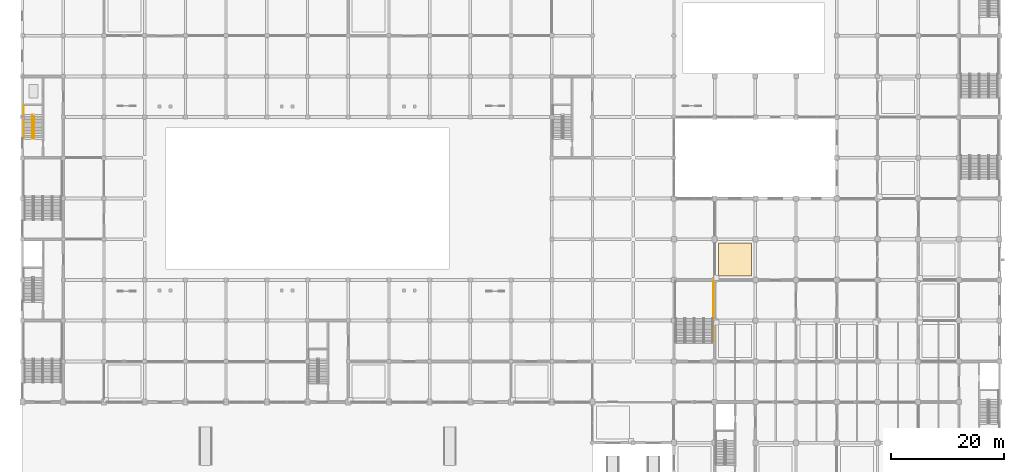
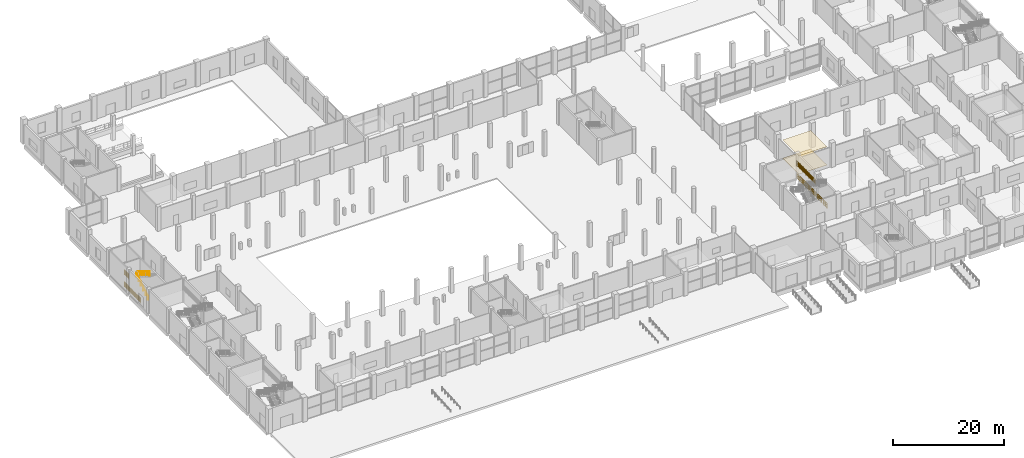
# One storey, part 62 of 70: 6 railings, 2 coverings.
"""IFC4 building model written with IfcOpenShell, lengths in metres."""

from ifc_helpers import new_model, si_unit, direction, frame, origin, origin_2d, place, context, subcontext, project, spatial, polyline, circle, outline, extrude, material, layer, layer_set, type_object, element, save


model = new_model("IFC4")

# Units and contexts
model_context = context("Model", 3, precision=1e-05, world=origin(), true_north=direction((0.0, 1.0)))
body_context = subcontext(model_context, "Body", "Model", "MODEL_VIEW")
ifc_project = project(units=[si_unit("LENGTHUNIT", "METRE"), si_unit("AREAUNIT", "SQUARE_METRE"), si_unit("VOLUMEUNIT", "CUBIC_METRE"), si_unit("PLANEANGLEUNIT", "RADIAN"), si_unit("MASSUNIT", "GRAM", prefix="KILO")], contexts=[model_context])

# Site, building, storey
site_placement = place(None, origin())
site = spatial("IfcSite", under=ifc_project, at=site_placement, CompositionType="ELEMENT")
building_placement = place(site_placement, origin())
building = spatial("IfcBuilding", under=site, at=building_placement, Name="Vesperath Aquatics Centre", CompositionType="ELEMENT")
storey_placement = place(building_placement, origin())
storey = spatial("IfcBuildingStorey", under=building, at=storey_placement, Name="L00", CompositionType="ELEMENT", Elevation=0.0)

# Coverings
ifc_material_1 = material(Name="Perforated moisture-resistant acoustic mineral-fibre ceiling", Category="gypsum")
ifc_layer_1 = layer(ifc_material_1, 0.044921875)
ifc_layer_set_1 = layer_set([ifc_layer_1], Name="Perforated moisture-resistant acoustic mineral-fibre ceiling")
covering_type_1 = type_object("IfcCoveringType", Name="CV-CLG01", PredefinedType="CEILING", material=ifc_layer_set_1)
covering_1_placement = place(storey_placement, frame((0.0, 0.0, 4.02490234375)))
element("IfcCovering", 1, at=covering_1_placement, inside=storey, type_object=covering_type_1, Name="Acoustic Suspended Ceiling CLG1 L00_COMMUNITY", PredefinedType="CEILING", context=body_context, shape_type="SweptSolid", body=[
    extrude(outline(polyline([(123.080078125, 36.679931640625), (128.919921875, 36.679931640625), (128.919921875, 42.52001953125), (123.080078125, 42.52001953125), (123.080078125, 36.679931640625)])), origin(), (0.0, 0.0, 1.0), 0.045166015625),
])
ifc_material_2 = material(Name="Slip-resistant vitrified ceramic and terrazzo flooring", Category="ceramic")
ifc_layer_2 = layer(ifc_material_2, 0.030029296875)
ifc_layer_set_2 = layer_set([ifc_layer_2], Name="Slip-resistant vitrified ceramic and terrazzo flooring")
covering_type_2 = type_object("IfcCoveringType", Name="CV-FLR01", PredefinedType="FLOORING", material=ifc_layer_set_2)
covering_2_placement = place(storey_placement, origin())
element("IfcCovering", 2, at=covering_2_placement, inside=storey, type_object=covering_type_2, Name="Slip-Resistant Floor Finish FLR1 L00_COMMUNITY", PredefinedType="FLOORING", context=body_context, shape_type="SweptSolid", body=[
    extrude(outline(polyline([(123.080078125, 36.679931640625), (128.919921875, 36.679931640625), (128.919921875, 42.52001953125), (123.080078125, 42.52001953125), (123.080078125, 36.679931640625)])), origin(), (0.0, 0.0, 1.0), 0.030029296875),
])

# Railings
ifc_material_3 = material(Name="Powder-coated galvanized steel safety guard", Category="steel")
railing_type_1 = type_object("IfcRailingType", Name="RL-GRD01", PredefinedType="GUARDRAIL", material=ifc_material_3)
railing_1_placement = place(storey_placement, frame((0.219970703125, 65.260009765625, 2.699951171875)))
element("IfcRailing", 3, at=railing_1_placement, inside=storey, type_object=railing_type_1, Name="Stair ST2 Half-Landing Wall Guard GR02 L00", PredefinedType="GUARDRAIL", context=body_context, shape_type="SweptSolid", body=[
    extrude(circle(Radius=0.02392578125, at=origin_2d()), frame((0.0, 0.0, 1.0859375), z_axis=(0.0, 1.0, 0.0), x_axis=(-1.0, 0.0, 0.0)), (0.0, 0.0, 1.0), 1.60009765625),
    extrude(circle(Radius=0.01611328125, at=origin_2d()), frame((0.0, 0.0, 0.10009765625), z_axis=(0.0, 1.0, 0.0), x_axis=(-1.0, 0.0, 0.0)), (0.0, 0.0, 1.0), 1.60009765625),
    extrude(circle(Radius=0.01611328125, at=origin_2d()), frame((0.0, 0.0, 0.610595703125), z_axis=(0.0, 1.0, 0.0), x_axis=(-1.0, 0.0, 0.0)), (0.0, 0.0, 1.0), 1.60009765625),
    extrude(circle(Radius=0.009033203125, at=origin_2d()), frame((0.0, 0.106689453125, 0.10009765625)), (0.0, 0.0, 1.0), 0.9619140625),
    extrude(circle(Radius=0.009033203125, at=origin_2d()), frame((0.0, 0.21337890625, 0.10009765625)), (0.0, 0.0, 1.0), 0.9619140625),
    extrude(circle(Radius=0.009033203125, at=origin_2d()), frame((0.0, 0.320068359375, 0.10009765625)), (0.0, 0.0, 1.0), 0.9619140625),
    extrude(circle(Radius=0.009033203125, at=origin_2d()), frame((0.0, 0.4267578125, 0.10009765625)), (0.0, 0.0, 1.0), 0.9619140625),
    extrude(circle(Radius=0.009033203125, at=origin_2d()), frame((0.0, 0.533447265625, 0.10009765625)), (0.0, 0.0, 1.0), 0.9619140625),
    extrude(circle(Radius=0.009033203125, at=origin_2d()), frame((0.0, 0.64013671875, 0.10009765625)), (0.0, 0.0, 1.0), 0.9619140625),
    extrude(circle(Radius=0.009033203125, at=origin_2d()), frame((0.0, 0.746826171875, 0.10009765625)), (0.0, 0.0, 1.0), 0.9619140625),
    extrude(circle(Radius=0.009033203125, at=origin_2d()), frame((0.0, 0.853271484375, 0.10009765625)), (0.0, 0.0, 1.0), 0.9619140625),
    extrude(circle(Radius=0.009033203125, at=origin_2d()), frame((0.0, 0.9599609375, 0.10009765625)), (0.0, 0.0, 1.0), 0.9619140625),
    extrude(circle(Radius=0.009033203125, at=origin_2d()), frame((0.0, 1.066650390625, 0.10009765625)), (0.0, 0.0, 1.0), 0.9619140625),
    extrude(circle(Radius=0.009033203125, at=origin_2d()), frame((0.0, 1.17333984375, 0.10009765625)), (0.0, 0.0, 1.0), 0.9619140625),
    extrude(circle(Radius=0.009033203125, at=origin_2d()), frame((0.0, 1.280029296875, 0.10009765625)), (0.0, 0.0, 1.0), 0.9619140625),
    extrude(circle(Radius=0.009033203125, at=origin_2d()), frame((0.0, 1.38671875, 0.10009765625)), (0.0, 0.0, 1.0), 0.9619140625),
    extrude(circle(Radius=0.009033203125, at=origin_2d()), frame((0.0, 1.493408203125, 0.10009765625)), (0.0, 0.0, 1.0), 0.9619140625),
    extrude(circle(Radius=0.02197265625, at=origin_2d()), origin(), (0.0, 0.0, 1.0), 1.0859375),
    extrude(circle(Radius=0.02197265625, at=origin_2d()), frame((0.0, 0.800048828125, 0.0)), (0.0, 0.0, 1.0), 1.0859375),
    extrude(circle(Radius=0.02197265625, at=origin_2d()), frame((0.0, 1.60009765625, 0.0)), (0.0, 0.0, 1.0), 1.0859375),
])
railing_2_placement = place(storey_placement, frame((0.219970703125, 61.0, 0.0)))
element("IfcRailing", 4, at=railing_2_placement, inside=storey, type_object=railing_type_1, Name="Stair ST2 Shaft Side Guard GR02 L00", PredefinedType="GUARDRAIL", context=body_context, shape_type="SweptSolid", body=[
    extrude(circle(Radius=0.02392578125, at=origin_2d()), frame((0.0, 0.0, 1.0859375), z_axis=(0.0, 1.0, 0.0), x_axis=(-1.0, 0.0, 0.0)), (0.0, 0.0, 1.0), 5.840087890625),
    extrude(circle(Radius=0.01611328125, at=origin_2d()), frame((0.0, 0.0, 0.10009765625), z_axis=(0.0, 1.0, 0.0), x_axis=(-1.0, 0.0, 0.0)), (0.0, 0.0, 1.0), 5.840087890625),
    extrude(circle(Radius=0.01611328125, at=origin_2d()), frame((0.0, 0.0, 0.610595703125), z_axis=(0.0, 1.0, 0.0), x_axis=(-1.0, 0.0, 0.0)), (0.0, 0.0, 1.0), 5.840087890625),
    extrude(circle(Radius=0.009033203125, at=origin_2d()), frame((0.0, 0.108154296875, 0.10009765625)), (0.0, 0.0, 1.0), 0.9619140625),
    extrude(circle(Radius=0.009033203125, at=origin_2d()), frame((0.0, 0.324462890625, 0.10009765625)), (0.0, 0.0, 1.0), 0.9619140625),
    extrude(circle(Radius=0.009033203125, at=origin_2d()), frame((0.0, 0.540771484375, 0.10009765625)), (0.0, 0.0, 1.0), 0.9619140625),
    extrude(circle(Radius=0.009033203125, at=origin_2d()), frame((0.0, 0.757080078125, 0.10009765625)), (0.0, 0.0, 1.0), 0.9619140625),
    extrude(circle(Radius=0.009033203125, at=origin_2d()), frame((0.0, 0.973388671875, 0.10009765625)), (0.0, 0.0, 1.0), 0.9619140625),
    extrude(circle(Radius=0.009033203125, at=origin_2d()), frame((0.0, 1.189697265625, 0.10009765625)), (0.0, 0.0, 1.0), 0.9619140625),
    extrude(circle(Radius=0.009033203125, at=origin_2d()), frame((0.0, 1.406005859375, 0.10009765625)), (0.0, 0.0, 1.0), 0.9619140625),
    extrude(circle(Radius=0.009033203125, at=origin_2d()), frame((0.0, 1.622314453125, 0.10009765625)), (0.0, 0.0, 1.0), 0.9619140625),
    extrude(circle(Radius=0.009033203125, at=origin_2d()), frame((0.0, 1.838623046875, 0.10009765625)), (0.0, 0.0, 1.0), 0.9619140625),
    extrude(circle(Radius=0.009033203125, at=origin_2d()), frame((0.0, 2.054931640625, 0.10009765625)), (0.0, 0.0, 1.0), 0.9619140625),
    extrude(circle(Radius=0.009033203125, at=origin_2d()), frame((0.0, 2.271240234375, 0.10009765625)), (0.0, 0.0, 1.0), 0.9619140625),
    extrude(circle(Radius=0.009033203125, at=origin_2d()), frame((0.0, 2.487548828125, 0.10009765625)), (0.0, 0.0, 1.0), 0.9619140625),
    extrude(circle(Radius=0.009033203125, at=origin_2d()), frame((0.0, 2.703857421875, 0.10009765625)), (0.0, 0.0, 1.0), 0.9619140625),
    extrude(circle(Radius=0.009033203125, at=origin_2d()), frame((0.0, 2.919921875, 0.10009765625)), (0.0, 0.0, 1.0), 0.9619140625),
    extrude(circle(Radius=0.009033203125, at=origin_2d()), frame((0.0, 3.13623046875, 0.10009765625)), (0.0, 0.0, 1.0), 0.9619140625),
    extrude(circle(Radius=0.009033203125, at=origin_2d()), frame((0.0, 3.3525390625, 0.10009765625)), (0.0, 0.0, 1.0), 0.9619140625),
    extrude(circle(Radius=0.009033203125, at=origin_2d()), frame((0.0, 3.56884765625, 0.10009765625)), (0.0, 0.0, 1.0), 0.9619140625),
    extrude(circle(Radius=0.009033203125, at=origin_2d()), frame((0.0, 3.78515625, 0.10009765625)), (0.0, 0.0, 1.0), 0.9619140625),
    extrude(circle(Radius=0.009033203125, at=origin_2d()), frame((0.0, 4.00146484375, 0.10009765625)), (0.0, 0.0, 1.0), 0.9619140625),
    extrude(circle(Radius=0.009033203125, at=origin_2d()), frame((0.0, 4.2177734375, 0.10009765625)), (0.0, 0.0, 1.0), 0.9619140625),
    extrude(circle(Radius=0.009033203125, at=origin_2d()), frame((0.0, 4.43408203125, 0.10009765625)), (0.0, 0.0, 1.0), 0.9619140625),
    extrude(circle(Radius=0.009033203125, at=origin_2d()), frame((0.0, 4.650390625, 0.10009765625)), (0.0, 0.0, 1.0), 0.9619140625),
    extrude(circle(Radius=0.009033203125, at=origin_2d()), frame((0.0, 4.86669921875, 0.10009765625)), (0.0, 0.0, 1.0), 0.9619140625),
    extrude(circle(Radius=0.009033203125, at=origin_2d()), frame((0.0, 5.0830078125, 0.10009765625)), (0.0, 0.0, 1.0), 0.9619140625),
    extrude(circle(Radius=0.009033203125, at=origin_2d()), frame((0.0, 5.29931640625, 0.10009765625)), (0.0, 0.0, 1.0), 0.9619140625),
    extrude(circle(Radius=0.009033203125, at=origin_2d()), frame((0.0, 5.515625, 0.10009765625)), (0.0, 0.0, 1.0), 0.9619140625),
    extrude(circle(Radius=0.009033203125, at=origin_2d()), frame((0.0, 5.73193359375, 0.10009765625)), (0.0, 0.0, 1.0), 0.9619140625),
    extrude(circle(Radius=0.02197265625, at=origin_2d()), origin(), (0.0, 0.0, 1.0), 1.0859375),
    extrude(circle(Radius=0.02197265625, at=origin_2d()), frame((0.0, 1.16796875, 0.0)), (0.0, 0.0, 1.0), 1.0859375),
    extrude(circle(Radius=0.02197265625, at=origin_2d()), frame((0.0, 2.3359375, 0.0)), (0.0, 0.0, 1.0), 1.0859375),
    extrude(circle(Radius=0.02197265625, at=origin_2d()), frame((0.0, 3.504150390625, 0.0)), (0.0, 0.0, 1.0), 1.0859375),
    extrude(circle(Radius=0.02197265625, at=origin_2d()), frame((0.0, 4.672119140625, 0.0)), (0.0, 0.0, 1.0), 1.0859375),
    extrude(circle(Radius=0.02197265625, at=origin_2d()), frame((0.0, 5.840087890625, 0.0)), (0.0, 0.0, 1.0), 1.0859375),
])
railing_3_placement = place(storey_placement, frame((122.179931640625, 29.260009765625, 2.699951171875)))
element("IfcRailing", 5, at=railing_3_placement, inside=storey, type_object=railing_type_1, Name="Stair ST7B Half-Landing Wall Guard GR02 L00", PredefinedType="GUARDRAIL", context=body_context, shape_type="SweptSolid", body=[
    extrude(circle(Radius=0.02392578125, at=origin_2d()), frame((0.0, 0.0, 1.0859375), z_axis=(0.0, 1.0, 0.0), x_axis=(-1.0, 0.0, 0.0)), (0.0, 0.0, 1.0), 6.610107421875),
    extrude(circle(Radius=0.01611328125, at=origin_2d()), frame((0.0, 0.0, 0.10009765625), z_axis=(0.0, 1.0, 0.0), x_axis=(-1.0, 0.0, 0.0)), (0.0, 0.0, 1.0), 6.610107421875),
    extrude(circle(Radius=0.01611328125, at=origin_2d()), frame((0.0, 0.0, 0.610595703125), z_axis=(0.0, 1.0, 0.0), x_axis=(-1.0, 0.0, 0.0)), (0.0, 0.0, 1.0), 6.610107421875),
    extrude(circle(Radius=0.009033203125, at=origin_2d()), frame((0.0, 0.1083984375, 0.10009765625)), (0.0, 0.0, 1.0), 0.9619140625),
    extrude(circle(Radius=0.009033203125, at=origin_2d()), frame((0.0, 0.3251953125, 0.10009765625)), (0.0, 0.0, 1.0), 0.9619140625),
    extrude(circle(Radius=0.009033203125, at=origin_2d()), frame((0.0, 0.541748046875, 0.10009765625)), (0.0, 0.0, 1.0), 0.9619140625),
    extrude(circle(Radius=0.009033203125, at=origin_2d()), frame((0.0, 0.758544921875, 0.10009765625)), (0.0, 0.0, 1.0), 0.9619140625),
    extrude(circle(Radius=0.009033203125, at=origin_2d()), frame((0.0, 0.975341796875, 0.10009765625)), (0.0, 0.0, 1.0), 0.9619140625),
    extrude(circle(Radius=0.009033203125, at=origin_2d()), frame((0.0, 1.19189453125, 0.10009765625)), (0.0, 0.0, 1.0), 0.9619140625),
    extrude(circle(Radius=0.009033203125, at=origin_2d()), frame((0.0, 1.40869140625, 0.10009765625)), (0.0, 0.0, 1.0), 0.9619140625),
    extrude(circle(Radius=0.009033203125, at=origin_2d()), frame((0.0, 1.62548828125, 0.10009765625)), (0.0, 0.0, 1.0), 0.9619140625),
    extrude(circle(Radius=0.009033203125, at=origin_2d()), frame((0.0, 1.842041015625, 0.10009765625)), (0.0, 0.0, 1.0), 0.9619140625),
    extrude(circle(Radius=0.009033203125, at=origin_2d()), frame((0.0, 2.058837890625, 0.10009765625)), (0.0, 0.0, 1.0), 0.9619140625),
    extrude(circle(Radius=0.009033203125, at=origin_2d()), frame((0.0, 2.275634765625, 0.10009765625)), (0.0, 0.0, 1.0), 0.9619140625),
    extrude(circle(Radius=0.009033203125, at=origin_2d()), frame((0.0, 2.492431640625, 0.10009765625)), (0.0, 0.0, 1.0), 0.9619140625),
    extrude(circle(Radius=0.009033203125, at=origin_2d()), frame((0.0, 2.708984375, 0.10009765625)), (0.0, 0.0, 1.0), 0.9619140625),
    extrude(circle(Radius=0.009033203125, at=origin_2d()), frame((0.0, 2.92578125, 0.10009765625)), (0.0, 0.0, 1.0), 0.9619140625),
    extrude(circle(Radius=0.009033203125, at=origin_2d()), frame((0.0, 3.142578125, 0.10009765625)), (0.0, 0.0, 1.0), 0.9619140625),
    extrude(circle(Radius=0.009033203125, at=origin_2d()), frame((0.0, 3.359130859375, 0.10009765625)), (0.0, 0.0, 1.0), 0.9619140625),
    extrude(circle(Radius=0.009033203125, at=origin_2d()), frame((0.0, 3.575927734375, 0.10009765625)), (0.0, 0.0, 1.0), 0.9619140625),
    extrude(circle(Radius=0.009033203125, at=origin_2d()), frame((0.0, 3.792724609375, 0.10009765625)), (0.0, 0.0, 1.0), 0.9619140625),
    extrude(circle(Radius=0.009033203125, at=origin_2d()), frame((0.0, 4.009521484375, 0.10009765625)), (0.0, 0.0, 1.0), 0.9619140625),
    extrude(circle(Radius=0.009033203125, at=origin_2d()), frame((0.0, 4.22607421875, 0.10009765625)), (0.0, 0.0, 1.0), 0.9619140625),
    extrude(circle(Radius=0.009033203125, at=origin_2d()), frame((0.0, 4.44287109375, 0.10009765625)), (0.0, 0.0, 1.0), 0.9619140625),
    extrude(circle(Radius=0.009033203125, at=origin_2d()), frame((0.0, 4.65966796875, 0.10009765625)), (0.0, 0.0, 1.0), 0.9619140625),
    extrude(circle(Radius=0.009033203125, at=origin_2d()), frame((0.0, 4.876220703125, 0.10009765625)), (0.0, 0.0, 1.0), 0.9619140625),
    extrude(circle(Radius=0.009033203125, at=origin_2d()), frame((0.0, 5.093017578125, 0.10009765625)), (0.0, 0.0, 1.0), 0.9619140625),
    extrude(circle(Radius=0.009033203125, at=origin_2d()), frame((0.0, 5.309814453125, 0.10009765625)), (0.0, 0.0, 1.0), 0.9619140625),
    extrude(circle(Radius=0.009033203125, at=origin_2d()), frame((0.0, 5.5263671875, 0.10009765625)), (0.0, 0.0, 1.0), 0.9619140625),
    extrude(circle(Radius=0.009033203125, at=origin_2d()), frame((0.0, 5.7431640625, 0.10009765625)), (0.0, 0.0, 1.0), 0.9619140625),
    extrude(circle(Radius=0.009033203125, at=origin_2d()), frame((0.0, 5.9599609375, 0.10009765625)), (0.0, 0.0, 1.0), 0.9619140625),
    extrude(circle(Radius=0.009033203125, at=origin_2d()), frame((0.0, 6.1767578125, 0.10009765625)), (0.0, 0.0, 1.0), 0.9619140625),
    extrude(circle(Radius=0.009033203125, at=origin_2d()), frame((0.0, 6.393310546875, 0.10009765625)), (0.0, 0.0, 1.0), 0.9619140625),
    extrude(circle(Radius=0.02197265625, at=origin_2d()), origin(), (0.0, 0.0, 1.0), 1.0859375),
    extrude(circle(Radius=0.02197265625, at=origin_2d()), frame((0.0, 1.1015625, 0.0)), (0.0, 0.0, 1.0), 1.0859375),
    extrude(circle(Radius=0.02197265625, at=origin_2d()), frame((0.0, 2.203369140625, 0.0)), (0.0, 0.0, 1.0), 1.0859375),
    extrude(circle(Radius=0.02197265625, at=origin_2d()), frame((0.0, 3.30517578125, 0.0)), (0.0, 0.0, 1.0), 1.0859375),
    extrude(circle(Radius=0.02197265625, at=origin_2d()), frame((0.0, 4.40673828125, 0.0)), (0.0, 0.0, 1.0), 1.0859375),
    extrude(circle(Radius=0.02197265625, at=origin_2d()), frame((0.0, 5.50830078125, 0.0)), (0.0, 0.0, 1.0), 1.0859375),
    extrude(circle(Radius=0.02197265625, at=origin_2d()), frame((0.0, 6.610107421875, 0.0)), (0.0, 0.0, 1.0), 1.0859375),
])
railing_4_placement = place(storey_placement, frame((122.179931640625, 25.0, 0.0)))
element("IfcRailing", 6, at=railing_4_placement, inside=storey, type_object=railing_type_1, Name="Stair ST7B Shaft Side Guard GR02 L00", PredefinedType="GUARDRAIL", context=body_context, shape_type="SweptSolid", body=[
    extrude(circle(Radius=0.02392578125, at=origin_2d()), frame((0.0, 0.0, 1.0859375), z_axis=(0.0, 1.0, 0.0), x_axis=(-1.0, 0.0, 0.0)), (0.0, 0.0, 1.0), 10.8701171875),
    extrude(circle(Radius=0.01611328125, at=origin_2d()), frame((0.0, 0.0, 0.10009765625), z_axis=(0.0, 1.0, 0.0), x_axis=(-1.0, 0.0, 0.0)), (0.0, 0.0, 1.0), 10.8701171875),
    extrude(circle(Radius=0.01611328125, at=origin_2d()), frame((0.0, 0.0, 0.610595703125), z_axis=(0.0, 1.0, 0.0), x_axis=(-1.0, 0.0, 0.0)), (0.0, 0.0, 1.0), 10.8701171875),
    extrude(circle(Radius=0.009033203125, at=origin_2d()), frame((0.0, 0.10986328125, 0.10009765625)), (0.0, 0.0, 1.0), 0.9619140625),
    extrude(circle(Radius=0.009033203125, at=origin_2d()), frame((0.0, 0.549072265625, 0.10009765625)), (0.0, 0.0, 1.0), 0.9619140625),
    extrude(circle(Radius=0.009033203125, at=origin_2d()), frame((0.0, 0.98828125, 0.10009765625)), (0.0, 0.0, 1.0), 0.9619140625),
    extrude(circle(Radius=0.009033203125, at=origin_2d()), frame((0.0, 1.427490234375, 0.10009765625)), (0.0, 0.0, 1.0), 0.9619140625),
    extrude(circle(Radius=0.009033203125, at=origin_2d()), frame((0.0, 1.86669921875, 0.10009765625)), (0.0, 0.0, 1.0), 0.9619140625),
    extrude(circle(Radius=0.009033203125, at=origin_2d()), frame((0.0, 2.3056640625, 0.10009765625)), (0.0, 0.0, 1.0), 0.9619140625),
    extrude(circle(Radius=0.009033203125, at=origin_2d()), frame((0.0, 2.744873046875, 0.10009765625)), (0.0, 0.0, 1.0), 0.9619140625),
    extrude(circle(Radius=0.009033203125, at=origin_2d()), frame((0.0, 3.18408203125, 0.10009765625)), (0.0, 0.0, 1.0), 0.9619140625),
    extrude(circle(Radius=0.009033203125, at=origin_2d()), frame((0.0, 3.623291015625, 0.10009765625)), (0.0, 0.0, 1.0), 0.9619140625),
    extrude(circle(Radius=0.009033203125, at=origin_2d()), frame((0.0, 4.0625, 0.10009765625)), (0.0, 0.0, 1.0), 0.9619140625),
    extrude(circle(Radius=0.009033203125, at=origin_2d()), frame((0.0, 4.501708984375, 0.10009765625)), (0.0, 0.0, 1.0), 0.9619140625),
    extrude(circle(Radius=0.009033203125, at=origin_2d()), frame((0.0, 4.94091796875, 0.10009765625)), (0.0, 0.0, 1.0), 0.9619140625),
    extrude(circle(Radius=0.009033203125, at=origin_2d()), frame((0.0, 5.380126953125, 0.10009765625)), (0.0, 0.0, 1.0), 0.9619140625),
    extrude(circle(Radius=0.009033203125, at=origin_2d()), frame((0.0, 5.8193359375, 0.10009765625)), (0.0, 0.0, 1.0), 0.9619140625),
    extrude(circle(Radius=0.009033203125, at=origin_2d()), frame((0.0, 6.258544921875, 0.10009765625)), (0.0, 0.0, 1.0), 0.9619140625),
    extrude(circle(Radius=0.009033203125, at=origin_2d()), frame((0.0, 6.69775390625, 0.10009765625)), (0.0, 0.0, 1.0), 0.9619140625),
    extrude(circle(Radius=0.009033203125, at=origin_2d()), frame((0.0, 7.136962890625, 0.10009765625)), (0.0, 0.0, 1.0), 0.9619140625),
    extrude(circle(Radius=0.009033203125, at=origin_2d()), frame((0.0, 7.576171875, 0.10009765625)), (0.0, 0.0, 1.0), 0.9619140625),
    extrude(circle(Radius=0.009033203125, at=origin_2d()), frame((0.0, 8.015380859375, 0.10009765625)), (0.0, 0.0, 1.0), 0.9619140625),
    extrude(circle(Radius=0.009033203125, at=origin_2d()), frame((0.0, 8.45458984375, 0.10009765625)), (0.0, 0.0, 1.0), 0.9619140625),
    extrude(circle(Radius=0.009033203125, at=origin_2d()), frame((0.0, 8.893798828125, 0.10009765625)), (0.0, 0.0, 1.0), 0.9619140625),
    extrude(circle(Radius=0.009033203125, at=origin_2d()), frame((0.0, 9.3330078125, 0.10009765625)), (0.0, 0.0, 1.0), 0.9619140625),
    extrude(circle(Radius=0.009033203125, at=origin_2d()), frame((0.0, 9.772216796875, 0.10009765625)), (0.0, 0.0, 1.0), 0.9619140625),
    extrude(circle(Radius=0.009033203125, at=origin_2d()), frame((0.0, 10.21142578125, 0.10009765625)), (0.0, 0.0, 1.0), 0.9619140625),
    extrude(circle(Radius=0.009033203125, at=origin_2d()), frame((0.0, 10.650634765625, 0.10009765625)), (0.0, 0.0, 1.0), 0.9619140625),
    extrude(circle(Radius=0.02197265625, at=origin_2d()), origin(), (0.0, 0.0, 1.0), 1.0859375),
    extrude(circle(Radius=0.02197265625, at=origin_2d()), frame((0.0, 1.0869140625, 0.0)), (0.0, 0.0, 1.0), 1.0859375),
    extrude(circle(Radius=0.02197265625, at=origin_2d()), frame((0.0, 2.174072265625, 0.0)), (0.0, 0.0, 1.0), 1.0859375),
    extrude(circle(Radius=0.02197265625, at=origin_2d()), frame((0.0, 3.260986328125, 0.0)), (0.0, 0.0, 1.0), 1.0859375),
    extrude(circle(Radius=0.02197265625, at=origin_2d()), frame((0.0, 4.34814453125, 0.0)), (0.0, 0.0, 1.0), 1.0859375),
    extrude(circle(Radius=0.02197265625, at=origin_2d()), frame((0.0, 5.43505859375, 0.0)), (0.0, 0.0, 1.0), 1.0859375),
    extrude(circle(Radius=0.02197265625, at=origin_2d()), frame((0.0, 6.52197265625, 0.0)), (0.0, 0.0, 1.0), 1.0859375),
    extrude(circle(Radius=0.02197265625, at=origin_2d()), frame((0.0, 7.609130859375, 0.0)), (0.0, 0.0, 1.0), 1.0859375),
    extrude(circle(Radius=0.02197265625, at=origin_2d()), frame((0.0, 8.696044921875, 0.0)), (0.0, 0.0, 1.0), 1.0859375),
    extrude(circle(Radius=0.02197265625, at=origin_2d()), frame((0.0, 9.783203125, 0.0)), (0.0, 0.0, 1.0), 1.0859375),
    extrude(circle(Radius=0.02197265625, at=origin_2d()), frame((0.0, 10.8701171875, 0.0)), (0.0, 0.0, 1.0), 1.0859375),
])
ifc_material_4 = material(Name="Brushed stainless steel tubular handrail", Category="steel")
railing_type_2 = type_object("IfcRailingType", Name="RL-HND01", PredefinedType="HANDRAIL", material=ifc_material_4)
railing_5_placement = place(storey_placement, frame((1.75, 61.02001953125, 0.168701171875)))
element("IfcRailing", 7, at=railing_5_placement, inside=storey, type_object=railing_type_2, Name="Stair ST2 Flight 1 Handrail HR01 L00", PredefinedType="HANDRAIL", context=body_context, shape_type="SweptSolid", body=[
    extrude(circle(Radius=0.02392578125, at=origin_2d()), frame((0.0, 0.0, 0.8759765625), z_axis=(0.0, 0.856476492594, 0.516186030065), x_axis=(-1.0, 0.0, 0.0)), (0.0, 0.0, 1.0), 4.90380859375),
    extrude(circle(Radius=0.02197265625, at=origin_2d()), origin(), (0.0, 0.0, 1.0), 0.8759765625),
    extrude(circle(Radius=0.02197265625, at=origin_2d()), frame((0.0, 0.840087890625, 0.50634765625)), (0.0, 0.0, 1.0), 0.8759765625),
    extrude(circle(Radius=0.02197265625, at=origin_2d()), frame((0.0, 1.679931640625, 1.012451171875)), (0.0, 0.0, 1.0), 0.8759765625),
    extrude(circle(Radius=0.02197265625, at=origin_2d()), frame((0.0, 2.52001953125, 1.518798828125)), (0.0, 0.0, 1.0), 0.8759765625),
    extrude(circle(Radius=0.02197265625, at=origin_2d()), frame((0.0, 3.35986328125, 2.02490234375)), (0.0, 0.0, 1.0), 0.8759765625),
    extrude(circle(Radius=0.02197265625, at=origin_2d()), frame((0.0, 4.199951171875, 2.53125)), (0.0, 0.0, 1.0), 0.8759765625),
])
railing_6_placement = place(storey_placement, frame((2.070068359375, 65.219970703125, 2.86865234375)))
element("IfcRailing", 8, at=railing_6_placement, inside=storey, type_object=railing_type_2, Name="Stair ST2 Flight 2 Handrail HR01 L00", PredefinedType="HANDRAIL", context=body_context, shape_type="SweptSolid", body=[
    extrude(circle(Radius=0.02392578125, at=origin_2d()), frame((0.0, 0.0, 0.8759765625), z_axis=(0.0, -0.856476492594, 0.516186030065), x_axis=(1.0, 0.0, 0.0)), (0.0, 0.0, 1.0), 4.90380859375),
    extrude(circle(Radius=0.02197265625, at=origin_2d()), origin(), (0.0, 0.0, 1.0), 0.8759765625),
    extrude(circle(Radius=0.02197265625, at=origin_2d()), frame((0.0, -0.840087890625, 0.50634765625)), (0.0, 0.0, 1.0), 0.8759765625),
    extrude(circle(Radius=0.02197265625, at=origin_2d()), frame((0.0, -1.679931640625, 1.012451171875)), (0.0, 0.0, 1.0), 0.8759765625),
    extrude(circle(Radius=0.02197265625, at=origin_2d()), frame((0.0, -2.52001953125, 1.518798828125)), (0.0, 0.0, 1.0), 0.8759765625),
    extrude(circle(Radius=0.02197265625, at=origin_2d()), frame((0.0, -3.35986328125, 2.02490234375)), (0.0, 0.0, 1.0), 0.8759765625),
    extrude(circle(Radius=0.02197265625, at=origin_2d()), frame((0.0, -4.199951171875, 2.53125)), (0.0, 0.0, 1.0), 0.8759765625),
])

save(model, "model.ifc")
